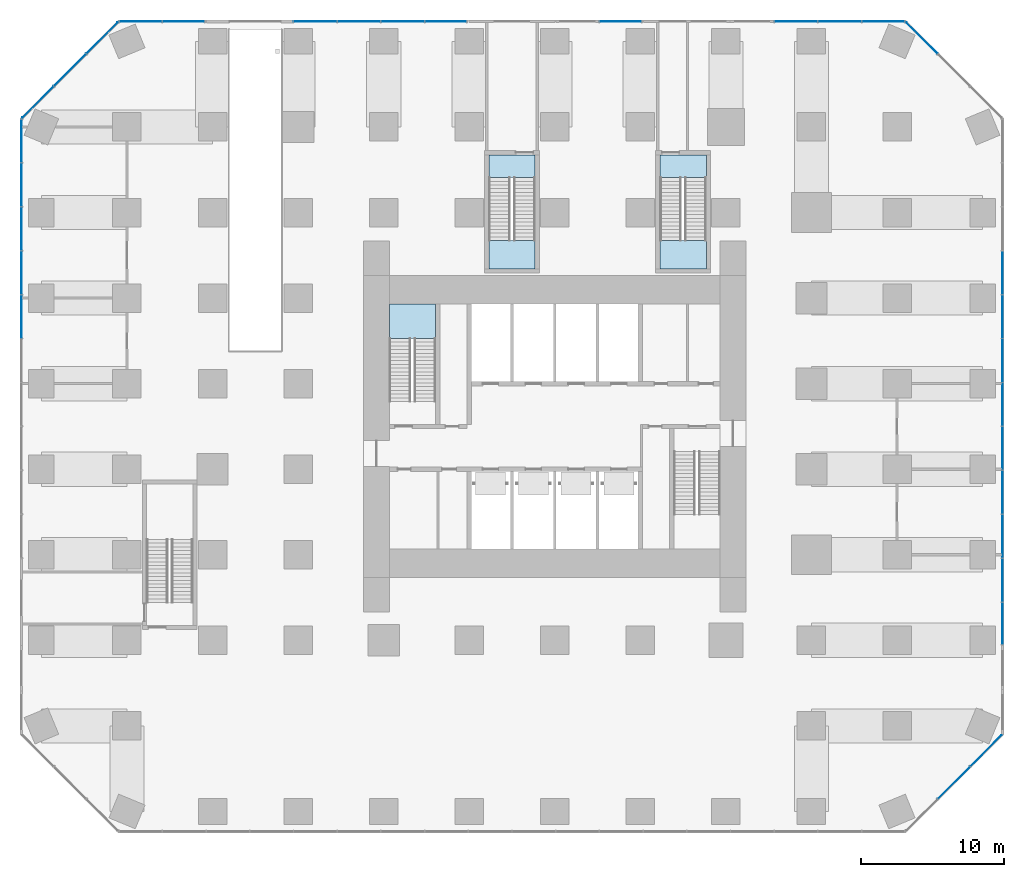
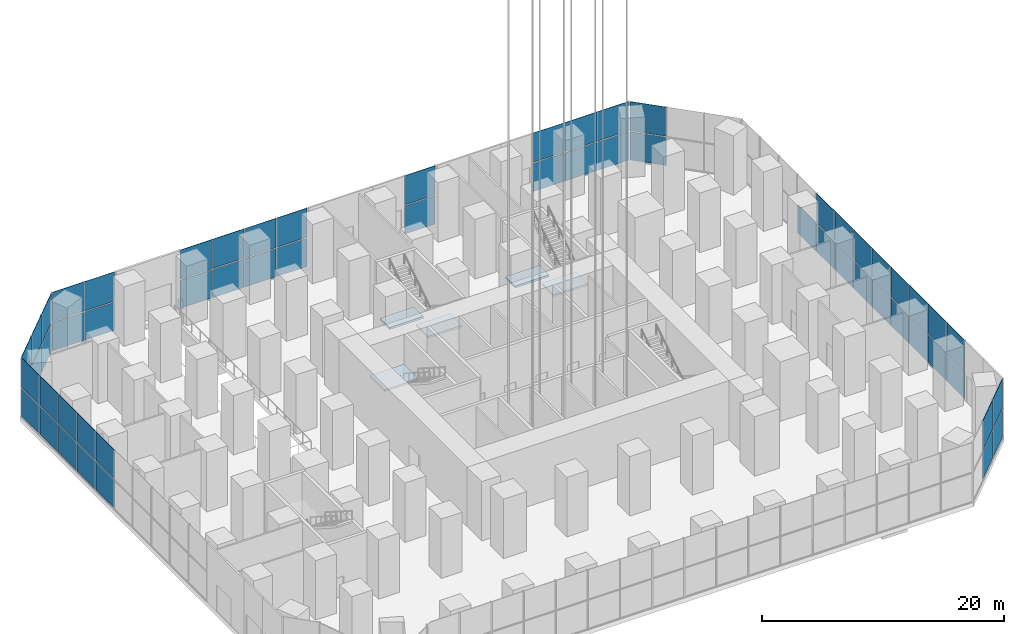
# One storey, part 11 of 21: 59 plates, 5 slabs, 12 elements without a shape of their own.
"""IFC4 building model written with IfcOpenShell, lengths in metres."""

from ifc_helpers import new_model, si_unit, direction, frame, origin, origin_2d, place, context, subcontext, project, spatial, polyline, rectangle, outline, extrude, material, layer, layer_set, type_object, element, aggregate, save


model = new_model("IFC4")

# Units and contexts
model_context = context("Model", 3, precision=1e-05, world=origin(), true_north=direction((0.0, 1.0)))
body_context = subcontext(model_context, "Body", "Model", "MODEL_VIEW")
ifc_project = project(units=[si_unit("LENGTHUNIT", "METRE"), si_unit("AREAUNIT", "SQUARE_METRE"), si_unit("VOLUMEUNIT", "CUBIC_METRE"), si_unit("PLANEANGLEUNIT", "RADIAN"), si_unit("MASSUNIT", "GRAM", prefix="KILO")], contexts=[model_context])

# Site, building, storey
site_placement = place(None, origin())
site = spatial("IfcSite", under=ifc_project, at=site_placement, CompositionType="ELEMENT")
building_placement = place(site_placement, origin())
building = spatial("IfcBuilding", under=site, at=building_placement, Name="Highveld Stack Headquarters", CompositionType="ELEMENT")
storey_placement = place(building_placement, origin())
storey = spatial("IfcBuildingStorey", under=building, at=storey_placement, Name="L00", CompositionType="ELEMENT", Elevation=0.0)

# Curtain wall, plates
ifc_material_1 = material(Name="Aluminium bronze anodised", Category="aluminium")
ifc_layer_1 = layer(ifc_material_1, 0.199951171875)
ifc_layer_set_1 = layer_set([ifc_layer_1], Name="Aluminium bronze anodised")
curtain_wall_type = type_object("IfcCurtainWallType", Name="CW3 PODIUM STICK CURTAIN WALL", PredefinedType="NOTDEFINED", material=ifc_layer_set_1)
curtain_wall_1_placement = place(storey_placement, origin())
curtain_wall_1 = element("IfcCurtainWall", 1, at=curtain_wall_1_placement, inside=storey, type_object=curtain_wall_type, Name="Curtain wall CW3 L00 SE", PredefinedType="NOTDEFINED")
ifc_material_2 = material(Name="Glass clear low-iron double glazed unit", Category="glass")
ifc_layer_2 = layer(ifc_material_2, 0.035888671875)
ifc_layer_set_2 = layer_set([ifc_layer_2], Name="Glass clear low-iron double glazed unit")
plate_type = type_object("IfcPlateType", Name="CW3 PANEL CLEAR LOW-IRON DOUBLE GLAZED UNIT", PredefinedType="CURTAIN_PANEL", material=ifc_layer_set_2)
plate_1_placement = place(storey_placement, frame((33.989990234375, -21.989990234375, 0.099853515625), z_axis=(0.0, 0.0, 1.0), x_axis=(0.707106781187, 0.707106781187, 0.0)))
plate_1 = element("IfcPlate", 2, at=plate_1_placement, type_object=plate_type, Name="CW3 panel L00 2.1", PredefinedType="CURTAIN_PANEL", context=body_context, shape_type="SweptSolid", body=[
    extrude(rectangle(XDim=3.14990234375, YDim=0.035888671875, at=origin_2d()), origin(), (0.0, 0.0, 1.0), 2.85009765625),
])
plate_2_placement = place(storey_placement, frame((33.989990234375, -21.989990234375, 3.0498046875), z_axis=(0.0, 0.0, 1.0), x_axis=(0.707106781187, 0.707106781187, 0.0)))
plate_2 = element("IfcPlate", 3, at=plate_2_placement, type_object=plate_type, Name="CW3 panel L00 2.2", PredefinedType="CURTAIN_PANEL", context=body_context, shape_type="SweptSolid", body=[
    extrude(rectangle(XDim=3.14990234375, YDim=0.035888671875, at=origin_2d()), origin(), (0.0, 0.0, 1.0), 2.949951171875),
])
plate_3_placement = place(storey_placement, frame((36.239501953125, -19.740478515625, 0.099853515625), z_axis=(0.0, 0.0, 1.0), x_axis=(0.707106781187, 0.707106781187, 0.0)))
plate_3 = element("IfcPlate", 4, at=plate_3_placement, type_object=plate_type, Name="CW3 panel L00 3.1", PredefinedType="CURTAIN_PANEL", context=body_context, shape_type="SweptSolid", body=[
    extrude(rectangle(XDim=3.08251953125, YDim=0.035888671875, at=origin_2d()), origin(), (0.0, 0.0, 1.0), 2.85009765625),
])
plate_4_placement = place(storey_placement, frame((36.239501953125, -19.740478515625, 3.0498046875), z_axis=(0.0, 0.0, 1.0), x_axis=(0.707106781187, 0.707106781187, 0.0)))
plate_4 = element("IfcPlate", 5, at=plate_4_placement, type_object=plate_type, Name="CW3 panel L00 3.2", PredefinedType="CURTAIN_PANEL", context=body_context, shape_type="SweptSolid", body=[
    extrude(rectangle(XDim=3.08251953125, YDim=0.035888671875, at=origin_2d()), origin(), (0.0, 0.0, 1.0), 2.949951171875),
])
aggregate(curtain_wall_1, [plate_1, plate_2, plate_3, plate_4])

curtain_wall_2_placement = place(storey_placement, origin())
curtain_wall_2 = element("IfcCurtainWall", 6, at=curtain_wall_2_placement, inside=storey, type_object=curtain_wall_type, Name="Curtain wall CW3 L00 E", PredefinedType="NOTDEFINED")
plate_5_placement = place(storey_placement, frame((37.39990234375, -10.819091796875, 0.099853515625), z_axis=(0.0, 0.0, 1.0), x_axis=(0.0, 1.0, 0.0)))
plate_5 = element("IfcPlate", 7, at=plate_5_placement, type_object=plate_type, Name="CW3 panel L00 3.1", PredefinedType="CURTAIN_PANEL", context=body_context, shape_type="SweptSolid", body=[
    extrude(rectangle(XDim=2.910400390625, YDim=0.035888671875, at=origin_2d()), origin(), (0.0, 0.0, 1.0), 2.85009765625),
])
plate_6_placement = place(storey_placement, frame((37.39990234375, -10.819091796875, 3.0498046875), z_axis=(0.0, 0.0, 1.0), x_axis=(0.0, 1.0, 0.0)))
plate_6 = element("IfcPlate", 8, at=plate_6_placement, type_object=plate_type, Name="CW3 panel L00 3.2", PredefinedType="CURTAIN_PANEL", context=body_context, shape_type="SweptSolid", body=[
    extrude(rectangle(XDim=2.910400390625, YDim=0.035888671875, at=origin_2d()), origin(), (0.0, 0.0, 1.0), 2.949951171875),
])
plate_7_placement = place(storey_placement, frame((37.39990234375, -7.789794921875, 0.099853515625), z_axis=(0.0, 0.0, 1.0), x_axis=(0.0, 1.0, 0.0)))
plate_7 = element("IfcPlate", 9, at=plate_7_placement, type_object=plate_type, Name="CW3 panel L00 4.1", PredefinedType="CURTAIN_PANEL", context=body_context, shape_type="SweptSolid", body=[
    extrude(rectangle(XDim=3.017822265625, YDim=0.035888671875, at=origin_2d()), origin(), (0.0, 0.0, 1.0), 2.85009765625),
])
plate_8_placement = place(storey_placement, frame((37.39990234375, -7.789794921875, 3.0498046875), z_axis=(0.0, 0.0, 1.0), x_axis=(0.0, 1.0, 0.0)))
plate_8 = element("IfcPlate", 10, at=plate_8_placement, type_object=plate_type, Name="CW3 panel L00 4.2", PredefinedType="CURTAIN_PANEL", context=body_context, shape_type="SweptSolid", body=[
    extrude(rectangle(XDim=3.017822265625, YDim=0.035888671875, at=origin_2d()), origin(), (0.0, 0.0, 1.0), 2.949951171875),
])
plate_9_placement = place(storey_placement, frame((37.39990234375, -4.70703125, 0.099853515625), z_axis=(0.0, 0.0, 1.0), x_axis=(0.0, 1.0, 0.0)))
plate_9 = element("IfcPlate", 11, at=plate_9_placement, type_object=plate_type, Name="CW3 panel L00 5.1", PredefinedType="CURTAIN_PANEL", context=body_context, shape_type="SweptSolid", body=[
    extrude(rectangle(XDim=3.017822265625, YDim=0.035888671875, at=origin_2d()), origin(), (0.0, 0.0, 1.0), 2.85009765625),
])
plate_10_placement = place(storey_placement, frame((37.39990234375, -4.70703125, 3.0498046875), z_axis=(0.0, 0.0, 1.0), x_axis=(0.0, 1.0, 0.0)))
plate_10 = element("IfcPlate", 12, at=plate_10_placement, type_object=plate_type, Name="CW3 panel L00 5.2", PredefinedType="CURTAIN_PANEL", context=body_context, shape_type="SweptSolid", body=[
    extrude(rectangle(XDim=3.017822265625, YDim=0.035888671875, at=origin_2d()), origin(), (0.0, 0.0, 1.0), 2.949951171875),
])
plate_11_placement = place(storey_placement, frame((37.39990234375, -1.624267578125, 0.099853515625), z_axis=(0.0, 0.0, 1.0), x_axis=(0.0, 1.0, 0.0)))
plate_11 = element("IfcPlate", 13, at=plate_11_placement, type_object=plate_type, Name="CW3 panel L00 6.1", PredefinedType="CURTAIN_PANEL", context=body_context, shape_type="SweptSolid", body=[
    extrude(rectangle(XDim=3.017822265625, YDim=0.035888671875, at=origin_2d()), origin(), (0.0, 0.0, 1.0), 2.85009765625),
])
plate_12_placement = place(storey_placement, frame((37.39990234375, -1.624267578125, 3.0498046875), z_axis=(0.0, 0.0, 1.0), x_axis=(0.0, 1.0, 0.0)))
plate_12 = element("IfcPlate", 14, at=plate_12_placement, type_object=plate_type, Name="CW3 panel L00 6.2", PredefinedType="CURTAIN_PANEL", context=body_context, shape_type="SweptSolid", body=[
    extrude(rectangle(XDim=3.017822265625, YDim=0.035888671875, at=origin_2d()), origin(), (0.0, 0.0, 1.0), 2.949951171875),
])
plate_13_placement = place(storey_placement, frame((37.39990234375, 1.45849609375, 0.099853515625), z_axis=(0.0, 0.0, 1.0), x_axis=(0.0, 1.0, 0.0)))
plate_13 = element("IfcPlate", 15, at=plate_13_placement, type_object=plate_type, Name="CW3 panel L00 7.1", PredefinedType="CURTAIN_PANEL", context=body_context, shape_type="SweptSolid", body=[
    extrude(rectangle(XDim=3.017822265625, YDim=0.035888671875, at=origin_2d()), origin(), (0.0, 0.0, 1.0), 2.85009765625),
])
plate_14_placement = place(storey_placement, frame((37.39990234375, 1.45849609375, 3.0498046875), z_axis=(0.0, 0.0, 1.0), x_axis=(0.0, 1.0, 0.0)))
plate_14 = element("IfcPlate", 16, at=plate_14_placement, type_object=plate_type, Name="CW3 panel L00 7.2", PredefinedType="CURTAIN_PANEL", context=body_context, shape_type="SweptSolid", body=[
    extrude(rectangle(XDim=3.017822265625, YDim=0.035888671875, at=origin_2d()), origin(), (0.0, 0.0, 1.0), 2.949951171875),
])
plate_15_placement = place(storey_placement, frame((37.39990234375, 4.54150390625, 0.099853515625), z_axis=(0.0, 0.0, 1.0), x_axis=(0.0, 1.0, 0.0)))
plate_15 = element("IfcPlate", 17, at=plate_15_placement, type_object=plate_type, Name="CW3 panel L00 8.1", PredefinedType="CURTAIN_PANEL", context=body_context, shape_type="SweptSolid", body=[
    extrude(rectangle(XDim=3.017822265625, YDim=0.035888671875, at=origin_2d()), origin(), (0.0, 0.0, 1.0), 2.85009765625),
])
plate_16_placement = place(storey_placement, frame((37.39990234375, 4.54150390625, 3.0498046875), z_axis=(0.0, 0.0, 1.0), x_axis=(0.0, 1.0, 0.0)))
plate_16 = element("IfcPlate", 18, at=plate_16_placement, type_object=plate_type, Name="CW3 panel L00 8.2", PredefinedType="CURTAIN_PANEL", context=body_context, shape_type="SweptSolid", body=[
    extrude(rectangle(XDim=3.017822265625, YDim=0.035888671875, at=origin_2d()), origin(), (0.0, 0.0, 1.0), 2.949951171875),
])
plate_17_placement = place(storey_placement, frame((37.39990234375, 7.624267578125, 0.099853515625), z_axis=(0.0, 0.0, 1.0), x_axis=(0.0, 1.0, 0.0)))
plate_17 = element("IfcPlate", 19, at=plate_17_placement, type_object=plate_type, Name="CW3 panel L00 9.1", PredefinedType="CURTAIN_PANEL", context=body_context, shape_type="SweptSolid", body=[
    extrude(rectangle(XDim=3.017822265625, YDim=0.035888671875, at=origin_2d()), origin(), (0.0, 0.0, 1.0), 2.85009765625),
])
plate_18_placement = place(storey_placement, frame((37.39990234375, 7.624267578125, 3.0498046875), z_axis=(0.0, 0.0, 1.0), x_axis=(0.0, 1.0, 0.0)))
plate_18 = element("IfcPlate", 20, at=plate_18_placement, type_object=plate_type, Name="CW3 panel L00 9.2", PredefinedType="CURTAIN_PANEL", context=body_context, shape_type="SweptSolid", body=[
    extrude(rectangle(XDim=3.017822265625, YDim=0.035888671875, at=origin_2d()), origin(), (0.0, 0.0, 1.0), 2.949951171875),
])
plate_19_placement = place(storey_placement, frame((37.39990234375, 10.70703125, 0.099853515625), z_axis=(0.0, 0.0, 1.0), x_axis=(0.0, 1.0, 0.0)))
plate_19 = element("IfcPlate", 21, at=plate_19_placement, type_object=plate_type, Name="CW3 panel L00 10.1", PredefinedType="CURTAIN_PANEL", context=body_context, shape_type="SweptSolid", body=[
    extrude(rectangle(XDim=3.017822265625, YDim=0.035888671875, at=origin_2d()), origin(), (0.0, 0.0, 1.0), 2.85009765625),
])
plate_20_placement = place(storey_placement, frame((37.39990234375, 10.70703125, 3.0498046875), z_axis=(0.0, 0.0, 1.0), x_axis=(0.0, 1.0, 0.0)))
plate_20 = element("IfcPlate", 22, at=plate_20_placement, type_object=plate_type, Name="CW3 panel L00 10.2", PredefinedType="CURTAIN_PANEL", context=body_context, shape_type="SweptSolid", body=[
    extrude(rectangle(XDim=3.017822265625, YDim=0.035888671875, at=origin_2d()), origin(), (0.0, 0.0, 1.0), 2.949951171875),
])
plate_21_placement = place(storey_placement, frame((37.39990234375, 13.7900390625, 0.099853515625), z_axis=(0.0, 0.0, 1.0), x_axis=(0.0, 1.0, 0.0)))
plate_21 = element("IfcPlate", 23, at=plate_21_placement, type_object=plate_type, Name="CW3 panel L00 11.1", PredefinedType="CURTAIN_PANEL", context=body_context, shape_type="SweptSolid", body=[
    extrude(rectangle(XDim=3.017822265625, YDim=0.035888671875, at=origin_2d()), origin(), (0.0, 0.0, 1.0), 2.85009765625),
])
aggregate(curtain_wall_2, [plate_5, plate_6, plate_7, plate_8, plate_9, plate_10, plate_11, plate_12, plate_13, plate_14, plate_15, plate_16, plate_17, plate_18, plate_19, plate_20, plate_21])

curtain_wall_3_placement = place(storey_placement, origin())
curtain_wall_3 = element("IfcCurtainWall", 24, at=curtain_wall_3_placement, inside=storey, type_object=curtain_wall_type, Name="Curtain wall CW3 L00 NE", PredefinedType="NOTDEFINED")
plate_22_placement = place(storey_placement, frame((31.740478515625, 30.239501953125, 0.099853515625), z_axis=(0.0, 0.0, 1.0), x_axis=(-0.707106781187, 0.707106781187, 0.0)))
plate_22 = element("IfcPlate", 25, at=plate_22_placement, type_object=plate_type, Name="CW3 panel L00 3.1", PredefinedType="CURTAIN_PANEL", context=body_context, shape_type="SweptSolid", body=[
    extrude(rectangle(XDim=3.08251953125, YDim=0.035888671875, at=origin_2d()), origin(), (0.0, 0.0, 1.0), 2.85009765625),
])
plate_23_placement = place(storey_placement, frame((31.740478515625, 30.239501953125, 3.0498046875), z_axis=(0.0, 0.0, 1.0), x_axis=(-0.707106781187, 0.707106781187, 0.0)))
plate_23 = element("IfcPlate", 26, at=plate_23_placement, type_object=plate_type, Name="CW3 panel L00 3.2", PredefinedType="CURTAIN_PANEL", context=body_context, shape_type="SweptSolid", body=[
    extrude(rectangle(XDim=3.08251953125, YDim=0.035888671875, at=origin_2d()), origin(), (0.0, 0.0, 1.0), 2.949951171875),
])
aggregate(curtain_wall_3, [plate_22, plate_23])

curtain_wall_4_placement = place(storey_placement, origin())
curtain_wall_4 = element("IfcCurtainWall", 27, at=curtain_wall_4_placement, inside=storey, type_object=curtain_wall_type, Name="Curtain wall CW3 L00 N-1", PredefinedType="NOTDEFINED")
plate_24_placement = place(storey_placement, frame((29.031494140625, 31.39990234375, 0.099853515625), z_axis=(0.0, 0.0, 1.0), x_axis=(-1.0, 0.0, 0.0)))
plate_24 = element("IfcPlate", 28, at=plate_24_placement, type_object=plate_type, Name="CW3 panel L00 1.1", PredefinedType="CURTAIN_PANEL", context=body_context, shape_type="SweptSolid", body=[
    extrude(rectangle(XDim=2.966796875, YDim=0.035888671875, at=origin_2d()), origin(), (0.0, 0.0, 1.0), 2.85009765625),
])
plate_25_placement = place(storey_placement, frame((29.031494140625, 31.39990234375, 3.0498046875), z_axis=(0.0, 0.0, 1.0), x_axis=(-1.0, 0.0, 0.0)))
plate_25 = element("IfcPlate", 29, at=plate_25_placement, type_object=plate_type, Name="CW3 panel L00 1.2", PredefinedType="CURTAIN_PANEL", context=body_context, shape_type="SweptSolid", body=[
    extrude(rectangle(XDim=2.966796875, YDim=0.035888671875, at=origin_2d()), origin(), (0.0, 0.0, 1.0), 2.949951171875),
])
plate_26_placement = place(storey_placement, frame((25.983154296875, 31.39990234375, 0.099853515625), z_axis=(0.0, 0.0, 1.0), x_axis=(-1.0, 0.0, 0.0)))
plate_26 = element("IfcPlate", 30, at=plate_26_placement, type_object=plate_type, Name="CW3 panel L00 2.1", PredefinedType="CURTAIN_PANEL", context=body_context, shape_type="SweptSolid", body=[
    extrude(rectangle(XDim=2.99951171875, YDim=0.035888671875, at=origin_2d()), origin(), (0.0, 0.0, 1.0), 2.85009765625),
])
plate_27_placement = place(storey_placement, frame((25.983154296875, 31.39990234375, 3.0498046875), z_axis=(0.0, 0.0, 1.0), x_axis=(-1.0, 0.0, 0.0)))
plate_27 = element("IfcPlate", 31, at=plate_27_placement, type_object=plate_type, Name="CW3 panel L00 2.2", PredefinedType="CURTAIN_PANEL", context=body_context, shape_type="SweptSolid", body=[
    extrude(rectangle(XDim=2.99951171875, YDim=0.035888671875, at=origin_2d()), origin(), (0.0, 0.0, 1.0), 2.949951171875),
])
plate_28_placement = place(storey_placement, frame((22.918701171875, 31.39990234375, 0.099853515625), z_axis=(0.0, 0.0, 1.0), x_axis=(-1.0, 0.0, 0.0)))
plate_28 = element("IfcPlate", 32, at=plate_28_placement, type_object=plate_type, Name="CW3 panel L00 3.1", PredefinedType="CURTAIN_PANEL", context=body_context, shape_type="SweptSolid", body=[
    extrude(rectangle(XDim=2.99951171875, YDim=0.035888671875, at=origin_2d()), origin(), (0.0, 0.0, 1.0), 2.85009765625),
])
plate_29_placement = place(storey_placement, frame((22.918701171875, 31.39990234375, 3.0498046875), z_axis=(0.0, 0.0, 1.0), x_axis=(-1.0, 0.0, 0.0)))
plate_29 = element("IfcPlate", 33, at=plate_29_placement, type_object=plate_type, Name="CW3 panel L00 3.2", PredefinedType="CURTAIN_PANEL", context=body_context, shape_type="SweptSolid", body=[
    extrude(rectangle(XDim=2.99951171875, YDim=0.035888671875, at=origin_2d()), origin(), (0.0, 0.0, 1.0), 2.949951171875),
])
aggregate(curtain_wall_4, [plate_24, plate_25, plate_26, plate_27, plate_28, plate_29])

curtain_wall_5_placement = place(storey_placement, origin())
curtain_wall_5 = element("IfcCurtainWall", 34, at=curtain_wall_5_placement, inside=storey, type_object=curtain_wall_type, Name="Curtain wall CW3 L00 N-2", PredefinedType="NOTDEFINED")
plate_30_placement = place(storey_placement, frame((10.607421875, 31.39990234375, 0.099853515625), z_axis=(0.0, 0.0, 1.0), x_axis=(-1.0, 0.0, 0.0)))
plate_30 = element("IfcPlate", 35, at=plate_30_placement, type_object=plate_type, Name="CW3 panel L00 7.1", PredefinedType="CURTAIN_PANEL", context=body_context, shape_type="SweptSolid", body=[
    extrude(rectangle(XDim=2.891845703125, YDim=0.035888671875, at=origin_2d()), origin(), (0.0, 0.0, 1.0), 2.85009765625),
])
plate_31_placement = place(storey_placement, frame((10.607421875, 31.39990234375, 3.0498046875), z_axis=(0.0, 0.0, 1.0), x_axis=(-1.0, 0.0, 0.0)))
plate_31 = element("IfcPlate", 36, at=plate_31_placement, type_object=plate_type, Name="CW3 panel L00 7.2", PredefinedType="CURTAIN_PANEL", context=body_context, shape_type="SweptSolid", body=[
    extrude(rectangle(XDim=2.891845703125, YDim=0.035888671875, at=origin_2d()), origin(), (0.0, 0.0, 1.0), 2.949951171875),
])
aggregate(curtain_wall_5, [plate_30, plate_31])

curtain_wall_6_placement = place(storey_placement, origin())
curtain_wall_6 = element("IfcCurtainWall", 37, at=curtain_wall_6_placement, inside=storey, type_object=curtain_wall_type, Name="Curtain wall CW3 L00 N-3", PredefinedType="NOTDEFINED")
plate_32_placement = place(storey_placement, frame((-1.650390625, 31.39990234375, 0.099853515625), z_axis=(0.0, 0.0, 1.0), x_axis=(-1.0, 0.0, 0.0)))
plate_32 = element("IfcPlate", 38, at=plate_32_placement, type_object=plate_type, Name="CW3 panel L00 11.1", PredefinedType="CURTAIN_PANEL", context=body_context, shape_type="SweptSolid", body=[
    extrude(rectangle(XDim=2.891845703125, YDim=0.035888671875, at=origin_2d()), origin(), (0.0, 0.0, 1.0), 2.85009765625),
])
plate_33_placement = place(storey_placement, frame((-1.650390625, 31.39990234375, 3.0498046875), z_axis=(0.0, 0.0, 1.0), x_axis=(-1.0, 0.0, 0.0)))
plate_33 = element("IfcPlate", 39, at=plate_33_placement, type_object=plate_type, Name="CW3 panel L00 11.2", PredefinedType="CURTAIN_PANEL", context=body_context, shape_type="SweptSolid", body=[
    extrude(rectangle(XDim=2.891845703125, YDim=0.035888671875, at=origin_2d()), origin(), (0.0, 0.0, 1.0), 2.949951171875),
])
plate_34_placement = place(storey_placement, frame((-4.6611328125, 31.39990234375, 0.099853515625), z_axis=(0.0, 0.0, 1.0), x_axis=(-1.0, 0.0, 0.0)))
plate_34 = element("IfcPlate", 40, at=plate_34_placement, type_object=plate_type, Name="CW3 panel L00 12.1", PredefinedType="CURTAIN_PANEL", context=body_context, shape_type="SweptSolid", body=[
    extrude(rectangle(XDim=2.99951171875, YDim=0.035888671875, at=origin_2d()), origin(), (0.0, 0.0, 1.0), 2.85009765625),
])
plate_35_placement = place(storey_placement, frame((-4.6611328125, 31.39990234375, 3.0498046875), z_axis=(0.0, 0.0, 1.0), x_axis=(-1.0, 0.0, 0.0)))
plate_35 = element("IfcPlate", 41, at=plate_35_placement, type_object=plate_type, Name="CW3 panel L00 12.2", PredefinedType="CURTAIN_PANEL", context=body_context, shape_type="SweptSolid", body=[
    extrude(rectangle(XDim=2.99951171875, YDim=0.035888671875, at=origin_2d()), origin(), (0.0, 0.0, 1.0), 2.949951171875),
])
plate_36_placement = place(storey_placement, frame((-7.7255859375, 31.39990234375, 0.099853515625), z_axis=(0.0, 0.0, 1.0), x_axis=(-1.0, 0.0, 0.0)))
plate_36 = element("IfcPlate", 42, at=plate_36_placement, type_object=plate_type, Name="CW3 panel L00 13.1", PredefinedType="CURTAIN_PANEL", context=body_context, shape_type="SweptSolid", body=[
    extrude(rectangle(XDim=2.99951171875, YDim=0.035888671875, at=origin_2d()), origin(), (0.0, 0.0, 1.0), 2.85009765625),
])
plate_37_placement = place(storey_placement, frame((-7.7255859375, 31.39990234375, 3.0498046875), z_axis=(0.0, 0.0, 1.0), x_axis=(-1.0, 0.0, 0.0)))
plate_37 = element("IfcPlate", 43, at=plate_37_placement, type_object=plate_type, Name="CW3 panel L00 13.2", PredefinedType="CURTAIN_PANEL", context=body_context, shape_type="SweptSolid", body=[
    extrude(rectangle(XDim=2.99951171875, YDim=0.035888671875, at=origin_2d()), origin(), (0.0, 0.0, 1.0), 2.949951171875),
])
plate_38_placement = place(storey_placement, frame((-10.7900390625, 31.39990234375, 0.099853515625), z_axis=(0.0, 0.0, 1.0), x_axis=(-1.0, 0.0, 0.0)))
plate_38 = element("IfcPlate", 44, at=plate_38_placement, type_object=plate_type, Name="CW3 panel L00 14.1", PredefinedType="CURTAIN_PANEL", context=body_context, shape_type="SweptSolid", body=[
    extrude(rectangle(XDim=2.99951171875, YDim=0.035888671875, at=origin_2d()), origin(), (0.0, 0.0, 1.0), 2.85009765625),
])
plate_39_placement = place(storey_placement, frame((-10.7900390625, 31.39990234375, 3.0498046875), z_axis=(0.0, 0.0, 1.0), x_axis=(-1.0, 0.0, 0.0)))
plate_39 = element("IfcPlate", 45, at=plate_39_placement, type_object=plate_type, Name="CW3 panel L00 14.2", PredefinedType="CURTAIN_PANEL", context=body_context, shape_type="SweptSolid", body=[
    extrude(rectangle(XDim=2.99951171875, YDim=0.035888671875, at=origin_2d()), origin(), (0.0, 0.0, 1.0), 2.949951171875),
])
aggregate(curtain_wall_6, [plate_32, plate_33, plate_34, plate_35, plate_36, plate_37, plate_38, plate_39])

curtain_wall_7_placement = place(storey_placement, origin())
curtain_wall_7 = element("IfcCurtainWall", 46, at=curtain_wall_7_placement, inside=storey, type_object=curtain_wall_type, Name="Curtain wall CW3 L00 N-4", PredefinedType="NOTDEFINED")
plate_40_placement = place(storey_placement, frame((-20.037109375, 31.39990234375, 0.099853515625), z_axis=(0.0, 0.0, 1.0), x_axis=(-1.0, 0.0, 0.0)))
plate_40 = element("IfcPlate", 47, at=plate_40_placement, type_object=plate_type, Name="CW3 panel L00 17.1", PredefinedType="CURTAIN_PANEL", context=body_context, shape_type="SweptSolid", body=[
    extrude(rectangle(XDim=2.891845703125, YDim=0.035888671875, at=origin_2d()), origin(), (0.0, 0.0, 1.0), 2.85009765625),
])
plate_41_placement = place(storey_placement, frame((-20.037109375, 31.39990234375, 3.0498046875), z_axis=(0.0, 0.0, 1.0), x_axis=(-1.0, 0.0, 0.0)))
plate_41 = element("IfcPlate", 48, at=plate_41_placement, type_object=plate_type, Name="CW3 panel L00 17.2", PredefinedType="CURTAIN_PANEL", context=body_context, shape_type="SweptSolid", body=[
    extrude(rectangle(XDim=2.891845703125, YDim=0.035888671875, at=origin_2d()), origin(), (0.0, 0.0, 1.0), 2.949951171875),
])
plate_42_placement = place(storey_placement, frame((-23.031494140625, 31.39990234375, 0.099853515625), z_axis=(0.0, 0.0, 1.0), x_axis=(-1.0, 0.0, 0.0)))
plate_42 = element("IfcPlate", 49, at=plate_42_placement, type_object=plate_type, Name="CW3 panel L00 18.1", PredefinedType="CURTAIN_PANEL", context=body_context, shape_type="SweptSolid", body=[
    extrude(rectangle(XDim=2.966796875, YDim=0.035888671875, at=origin_2d()), origin(), (0.0, 0.0, 1.0), 2.85009765625),
])
plate_43_placement = place(storey_placement, frame((-23.031494140625, 31.39990234375, 3.0498046875), z_axis=(0.0, 0.0, 1.0), x_axis=(-1.0, 0.0, 0.0)))
plate_43 = element("IfcPlate", 50, at=plate_43_placement, type_object=plate_type, Name="CW3 panel L00 18.2", PredefinedType="CURTAIN_PANEL", context=body_context, shape_type="SweptSolid", body=[
    extrude(rectangle(XDim=2.966796875, YDim=0.035888671875, at=origin_2d()), origin(), (0.0, 0.0, 1.0), 2.949951171875),
])
aggregate(curtain_wall_7, [plate_40, plate_41, plate_42, plate_43])

curtain_wall_8_placement = place(storey_placement, origin())
curtain_wall_8 = element("IfcCurtainWall", 51, at=curtain_wall_8_placement, inside=storey, type_object=curtain_wall_type, Name="Curtain wall CW3 L00 NW", PredefinedType="NOTDEFINED")
plate_44_placement = place(storey_placement, frame((-25.740478515625, 30.239501953125, 0.099853515625), z_axis=(0.0, 0.0, 1.0), x_axis=(-0.707106781187, -0.707106781187, 0.0)))
plate_44 = element("IfcPlate", 52, at=plate_44_placement, type_object=plate_type, Name="CW3 panel L00 1.1", PredefinedType="CURTAIN_PANEL", context=body_context, shape_type="SweptSolid", body=[
    extrude(rectangle(XDim=3.08251953125, YDim=0.035888671875, at=origin_2d()), origin(), (0.0, 0.0, 1.0), 2.85009765625),
])
plate_45_placement = place(storey_placement, frame((-25.740478515625, 30.239501953125, 3.0498046875), z_axis=(0.0, 0.0, 1.0), x_axis=(-0.707106781187, -0.707106781187, 0.0)))
plate_45 = element("IfcPlate", 53, at=plate_45_placement, type_object=plate_type, Name="CW3 panel L00 1.2", PredefinedType="CURTAIN_PANEL", context=body_context, shape_type="SweptSolid", body=[
    extrude(rectangle(XDim=3.08251953125, YDim=0.035888671875, at=origin_2d()), origin(), (0.0, 0.0, 1.0), 2.949951171875),
])
plate_46_placement = place(storey_placement, frame((-27.989990234375, 27.989990234375, 0.099853515625), z_axis=(0.0, 0.0, 1.0), x_axis=(-0.707106781187, -0.707106781187, 0.0)))
plate_46 = element("IfcPlate", 54, at=plate_46_placement, type_object=plate_type, Name="CW3 panel L00 2.1", PredefinedType="CURTAIN_PANEL", context=body_context, shape_type="SweptSolid", body=[
    extrude(rectangle(XDim=3.14990234375, YDim=0.035888671875, at=origin_2d()), origin(), (0.0, 0.0, 1.0), 2.85009765625),
])
plate_47_placement = place(storey_placement, frame((-27.989990234375, 27.989990234375, 3.0498046875), z_axis=(0.0, 0.0, 1.0), x_axis=(-0.707106781187, -0.707106781187, 0.0)))
plate_47 = element("IfcPlate", 55, at=plate_47_placement, type_object=plate_type, Name="CW3 panel L00 2.2", PredefinedType="CURTAIN_PANEL", context=body_context, shape_type="SweptSolid", body=[
    extrude(rectangle(XDim=3.14990234375, YDim=0.035888671875, at=origin_2d()), origin(), (0.0, 0.0, 1.0), 2.949951171875),
])
plate_48_placement = place(storey_placement, frame((-30.239501953125, 25.740478515625, 0.099853515625), z_axis=(0.0, 0.0, 1.0), x_axis=(-0.707106781187, -0.707106781187, 0.0)))
plate_48 = element("IfcPlate", 56, at=plate_48_placement, type_object=plate_type, Name="CW3 panel L00 3.1", PredefinedType="CURTAIN_PANEL", context=body_context, shape_type="SweptSolid", body=[
    extrude(rectangle(XDim=3.08251953125, YDim=0.035888671875, at=origin_2d()), origin(), (0.0, 0.0, 1.0), 2.85009765625),
])
plate_49_placement = place(storey_placement, frame((-30.239501953125, 25.740478515625, 3.0498046875), z_axis=(0.0, 0.0, 1.0), x_axis=(-0.707106781187, -0.707106781187, 0.0)))
plate_49 = element("IfcPlate", 57, at=plate_49_placement, type_object=plate_type, Name="CW3 panel L00 3.2", PredefinedType="CURTAIN_PANEL", context=body_context, shape_type="SweptSolid", body=[
    extrude(rectangle(XDim=3.08251953125, YDim=0.035888671875, at=origin_2d()), origin(), (0.0, 0.0, 1.0), 2.949951171875),
])
aggregate(curtain_wall_8, [plate_44, plate_45, plate_46, plate_47, plate_48, plate_49])

curtain_wall_9_placement = place(storey_placement, origin())
curtain_wall_9 = element("IfcCurtainWall", 58, at=curtain_wall_9_placement, inside=storey, type_object=curtain_wall_type, Name="Curtain wall CW3 L00 W", PredefinedType="NOTDEFINED")
plate_50_placement = place(storey_placement, frame((-31.39990234375, 23.022216796875, 0.099853515625), z_axis=(0.0, 0.0, 1.0), x_axis=(0.0, -1.0, 0.0)))
plate_50 = element("IfcPlate", 59, at=plate_50_placement, type_object=plate_type, Name="CW3 panel L00 1.1", PredefinedType="CURTAIN_PANEL", context=body_context, shape_type="SweptSolid", body=[
    extrude(rectangle(XDim=2.9853515625, YDim=0.035888671875, at=origin_2d()), origin(), (0.0, 0.0, 1.0), 2.85009765625),
])
plate_51_placement = place(storey_placement, frame((-31.39990234375, 23.022216796875, 3.0498046875), z_axis=(0.0, 0.0, 1.0), x_axis=(0.0, -1.0, 0.0)))
plate_51 = element("IfcPlate", 60, at=plate_51_placement, type_object=plate_type, Name="CW3 panel L00 1.2", PredefinedType="CURTAIN_PANEL", context=body_context, shape_type="SweptSolid", body=[
    extrude(rectangle(XDim=2.9853515625, YDim=0.035888671875, at=origin_2d()), origin(), (0.0, 0.0, 1.0), 2.949951171875),
])
plate_52_placement = place(storey_placement, frame((-31.39990234375, 19.95556640625, 0.099853515625), z_axis=(0.0, 0.0, 1.0), x_axis=(0.0, -1.0, 0.0)))
plate_52 = element("IfcPlate", 61, at=plate_52_placement, type_object=plate_type, Name="CW3 panel L00 2.1", PredefinedType="CURTAIN_PANEL", context=body_context, shape_type="SweptSolid", body=[
    extrude(rectangle(XDim=3.017822265625, YDim=0.035888671875, at=origin_2d()), origin(), (0.0, 0.0, 1.0), 2.85009765625),
])
plate_53_placement = place(storey_placement, frame((-31.39990234375, 19.95556640625, 3.0498046875), z_axis=(0.0, 0.0, 1.0), x_axis=(0.0, -1.0, 0.0)))
plate_53 = element("IfcPlate", 62, at=plate_53_placement, type_object=plate_type, Name="CW3 panel L00 2.2", PredefinedType="CURTAIN_PANEL", context=body_context, shape_type="SweptSolid", body=[
    extrude(rectangle(XDim=3.017822265625, YDim=0.035888671875, at=origin_2d()), origin(), (0.0, 0.0, 1.0), 2.949951171875),
])
plate_54_placement = place(storey_placement, frame((-31.39990234375, 16.872802734375, 0.099853515625), z_axis=(0.0, 0.0, 1.0), x_axis=(0.0, -1.0, 0.0)))
plate_54 = element("IfcPlate", 63, at=plate_54_placement, type_object=plate_type, Name="CW3 panel L00 3.1", PredefinedType="CURTAIN_PANEL", context=body_context, shape_type="SweptSolid", body=[
    extrude(rectangle(XDim=3.017822265625, YDim=0.035888671875, at=origin_2d()), origin(), (0.0, 0.0, 1.0), 2.85009765625),
])
plate_55_placement = place(storey_placement, frame((-31.39990234375, 16.872802734375, 3.0498046875), z_axis=(0.0, 0.0, 1.0), x_axis=(0.0, -1.0, 0.0)))
plate_55 = element("IfcPlate", 64, at=plate_55_placement, type_object=plate_type, Name="CW3 panel L00 3.2", PredefinedType="CURTAIN_PANEL", context=body_context, shape_type="SweptSolid", body=[
    extrude(rectangle(XDim=3.017822265625, YDim=0.035888671875, at=origin_2d()), origin(), (0.0, 0.0, 1.0), 2.949951171875),
])
plate_56_placement = place(storey_placement, frame((-31.39990234375, 13.789794921875, 0.099853515625), z_axis=(0.0, 0.0, 1.0), x_axis=(0.0, -1.0, 0.0)))
plate_56 = element("IfcPlate", 65, at=plate_56_placement, type_object=plate_type, Name="CW3 panel L00 4.1", PredefinedType="CURTAIN_PANEL", context=body_context, shape_type="SweptSolid", body=[
    extrude(rectangle(XDim=3.017822265625, YDim=0.035888671875, at=origin_2d()), origin(), (0.0, 0.0, 1.0), 2.85009765625),
])
plate_57_placement = place(storey_placement, frame((-31.39990234375, 13.789794921875, 3.0498046875), z_axis=(0.0, 0.0, 1.0), x_axis=(0.0, -1.0, 0.0)))
plate_57 = element("IfcPlate", 66, at=plate_57_placement, type_object=plate_type, Name="CW3 panel L00 4.2", PredefinedType="CURTAIN_PANEL", context=body_context, shape_type="SweptSolid", body=[
    extrude(rectangle(XDim=3.017822265625, YDim=0.035888671875, at=origin_2d()), origin(), (0.0, 0.0, 1.0), 2.949951171875),
])
plate_58_placement = place(storey_placement, frame((-31.39990234375, 10.70703125, 0.099853515625), z_axis=(0.0, 0.0, 1.0), x_axis=(0.0, -1.0, 0.0)))
plate_58 = element("IfcPlate", 67, at=plate_58_placement, type_object=plate_type, Name="CW3 panel L00 5.1", PredefinedType="CURTAIN_PANEL", context=body_context, shape_type="SweptSolid", body=[
    extrude(rectangle(XDim=3.017822265625, YDim=0.035888671875, at=origin_2d()), origin(), (0.0, 0.0, 1.0), 2.85009765625),
])
plate_59_placement = place(storey_placement, frame((-31.39990234375, 10.70703125, 3.0498046875), z_axis=(0.0, 0.0, 1.0), x_axis=(0.0, -1.0, 0.0)))
plate_59 = element("IfcPlate", 68, at=plate_59_placement, type_object=plate_type, Name="CW3 panel L00 5.2", PredefinedType="CURTAIN_PANEL", context=body_context, shape_type="SweptSolid", body=[
    extrude(rectangle(XDim=3.017822265625, YDim=0.035888671875, at=origin_2d()), origin(), (0.0, 0.0, 1.0), 2.949951171875),
])
aggregate(curtain_wall_9, [plate_50, plate_51, plate_52, plate_53, plate_54, plate_55, plate_56, plate_57, plate_58, plate_59])

# Stair, slab
ifc_material_3 = material(Name="Concrete C40/50, precast", Category="concrete")
stair_type_1 = type_object("IfcStairType", Name="STAIR S1 HALF TURN 1500", PredefinedType="HALF_TURN_STAIR", material=ifc_material_3)
stair_1_placement = place(storey_placement, origin())
stair_1 = element("IfcStair", 69, at=stair_1_placement, inside=storey, type_object=stair_type_1, Name="Stair S1 L00", PredefinedType="HALF_TURN_STAIR")
ifc_material_4 = material(Name="Concrete C40/50, precast", Category="concrete")
ifc_layer_3 = layer(ifc_material_4, 0.199951171875)
ifc_layer_set_3 = layer_set([ifc_layer_3], Name="Concrete C40/50, precast")
slab_type = type_object("IfcSlabType", Name="STAIR LANDING 200", PredefinedType="LANDING", material=ifc_layer_set_3)
slab_1_placement = place(storey_placement, frame((0.0, 0.0, 2.800048828125)))
slab_1 = element("IfcSlab", 70, at=slab_1_placement, type_object=slab_type, Name="S1 landing 1", PredefinedType="LANDING", context=body_context, shape_type="SweptSolid", body=[
    extrude(outline(polyline([(-5.60009765625, 9.169921875), (-2.35009765625, 9.169921875), (-2.35009765625, 11.60009765625), (-5.60009765625, 11.60009765625), (-5.60009765625, 9.169921875)])), origin(), (0.0, 0.0, 1.0), 0.199951171875),
])
aggregate(stair_1, [slab_1])

# Stair, slabs
ifc_material_5 = material(Name="Concrete C40/50, precast", Category="concrete")
stair_type_2 = type_object("IfcStairType", Name="STAIR PS2 HALF TURN 1500", PredefinedType="HALF_TURN_STAIR", material=ifc_material_5)
stair_2_placement = place(storey_placement, origin())
stair_2 = element("IfcStair", 71, at=stair_2_placement, inside=storey, type_object=stair_type_2, Name="Stair PS2 L00", PredefinedType="HALF_TURN_STAIR")
slab_2_placement = place(storey_placement, frame((0.0, 0.0, 2.800048828125)))
slab_2 = element("IfcSlab", 72, at=slab_2_placement, type_object=slab_type, Name="PS2 landing 1", PredefinedType="LANDING", context=body_context, shape_type="SweptSolid", body=[
    extrude(outline(polyline([(13.375, 14.050048828125), (16.625, 14.050048828125), (16.625, 16.030029296875), (13.375, 16.030029296875), (13.375, 14.050048828125)])), origin(), (0.0, 0.0, 1.0), 0.199951171875),
])
slab_3_placement = place(storey_placement, frame((0.0, 0.0, -0.199951171875)))
slab_3 = element("IfcSlab", 73, at=slab_3_placement, type_object=slab_type, Name="PS2 landing 2", PredefinedType="LANDING", context=body_context, shape_type="SweptSolid", body=[
    extrude(outline(polyline([(13.375, 20.449951171875), (16.625, 20.449951171875), (16.625, 22.050048828125), (13.375, 22.050048828125), (13.375, 20.449951171875)])), origin(), (0.0, 0.0, 1.0), 0.199951171875),
])
aggregate(stair_2, [slab_2, slab_3])

ifc_material_6 = material(Name="Concrete C40/50, precast", Category="concrete")
stair_type_3 = type_object("IfcStairType", Name="STAIR PS3 HALF TURN 1500", PredefinedType="HALF_TURN_STAIR", material=ifc_material_6)
stair_3_placement = place(storey_placement, origin())
stair_3 = element("IfcStair", 74, at=stair_3_placement, inside=storey, type_object=stair_type_3, Name="Stair PS3 L00", PredefinedType="HALF_TURN_STAIR")
slab_4_placement = place(storey_placement, frame((0.0, 0.0, 2.800048828125)))
slab_4 = element("IfcSlab", 75, at=slab_4_placement, type_object=slab_type, Name="PS3 landing 1", PredefinedType="LANDING", context=body_context, shape_type="SweptSolid", body=[
    extrude(outline(polyline([(1.375, 14.050048828125), (4.625, 14.050048828125), (4.625, 16.030029296875), (1.375, 16.030029296875), (1.375, 14.050048828125)])), origin(), (0.0, 0.0, 1.0), 0.199951171875),
])
slab_5_placement = place(storey_placement, frame((0.0, 0.0, -0.199951171875)))
slab_5 = element("IfcSlab", 76, at=slab_5_placement, type_object=slab_type, Name="PS3 landing 2", PredefinedType="LANDING", context=body_context, shape_type="SweptSolid", body=[
    extrude(outline(polyline([(1.375, 20.449951171875), (4.625, 20.449951171875), (4.625, 22.050048828125), (1.375, 22.050048828125), (1.375, 20.449951171875)])), origin(), (0.0, 0.0, 1.0), 0.199951171875),
])
aggregate(stair_3, [slab_4, slab_5])

save(model, "model.ifc")
